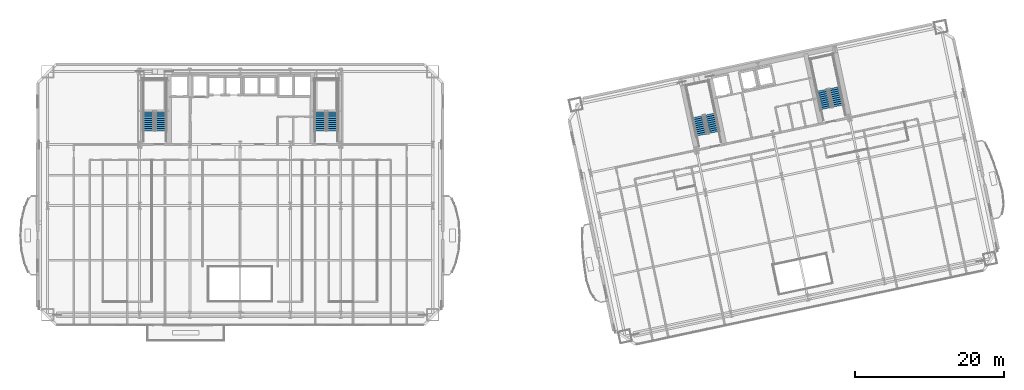
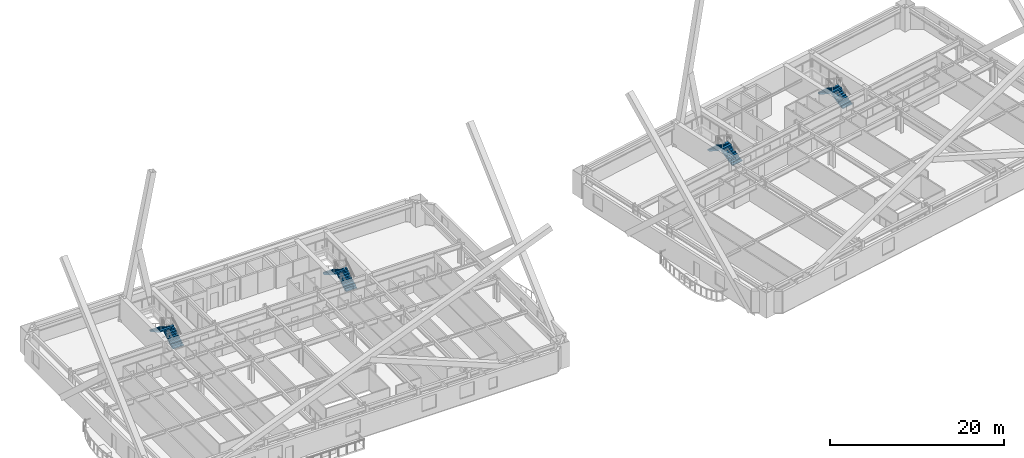
# One storey, part 12 of 20: 8 stair flights, 4 elements without a shape of their own.
"""IFC4 building model written with IfcOpenShell, lengths in metres."""

from ifc_helpers import new_model, si_unit, direction, frame, origin, place, context, subcontext, project, spatial, polyline, outline, extrude, material, type_object, element, aggregate, save


model = new_model("IFC4")

# Units and contexts
model_context = context("Model", 3, precision=1e-05, world=origin(), true_north=direction((0.0, 1.0)))
body_context = subcontext(model_context, "Body", "Model", "MODEL_VIEW")
ifc_project = project(units=[si_unit("LENGTHUNIT", "METRE"), si_unit("AREAUNIT", "SQUARE_METRE"), si_unit("VOLUMEUNIT", "CUBIC_METRE"), si_unit("PLANEANGLEUNIT", "RADIAN"), si_unit("MASSUNIT", "GRAM", prefix="KILO")], contexts=[model_context])

# Site, building, storey
site_placement = place(None, origin())
site = spatial("IfcSite", under=ifc_project, at=site_placement, CompositionType="ELEMENT")
building_placement = place(site_placement, origin())
building = spatial("IfcBuilding", under=site, at=building_placement, Name="Haevon Station Towers", CompositionType="ELEMENT")
storey_placement = place(building_placement, frame((0.0, 0.0, 30.60009765625)))
storey = spatial("IfcBuildingStorey", under=building, at=storey_placement, Name="L06", CompositionType="ELEMENT", Elevation=30.60009765625)

# Stair, stair flights
ifc_material = material(Name="Concrete C40/50", Category="concrete")
stair_type = type_object("IfcStairType", Name="STR-DL1450", PredefinedType="USERDEFINED", material=ifc_material)
stair_1_placement = place(storey_placement, origin())
stair_1 = element("IfcStair", 1, at=stair_1_placement, inside=storey, type_object=stair_type, Name="L06 Escape Stair ST1", ObjectType="TWO_RETURN_STAIR", PredefinedType="USERDEFINED")
stair_flight_type = type_object("IfcStairFlightType", Name="STF-ST1450", PredefinedType="STRAIGHT", material=ifc_material)
stair_flight_1_placement = place(storey_placement, frame((26.85498046875, 40.050048828125, 0.0), z_axis=(0.0, 0.0, 1.0), x_axis=(0.0, 1.0, 0.0)))
stair_flight_1 = element("IfcStairFlight", 2, at=stair_flight_1_placement, type_object=stair_flight_type, Name="L06 ST1 Flight 1", NumberOfRisers=10, NumberOfTreads=9, PredefinedType="STRAIGHT", RiserHeight=0.165, TreadLength=0.28, context=body_context, shape_type="SweptSolid", body=[
    extrude(outline(polyline([(0.0, 0.0), (0.0, 0.1650390625), (0.280029296875, 0.1650390625), (0.280029296875, 0.330078125), (0.56005859375, 0.330078125), (0.56005859375, 0.4951171875), (0.840087890625, 0.4951171875), (0.840087890625, 0.659912109375), (1.1201171875, 0.659912109375), (1.1201171875, 0.824951171875), (1.39990234375, 0.824951171875), (1.39990234375, 0.989990234375), (1.679931640625, 0.989990234375), (1.679931640625, 1.155029296875), (1.9599609375, 1.155029296875), (1.9599609375, 1.320068359375), (2.239990234375, 1.320068359375), (2.239990234375, 1.485107421875), (2.52001953125, 1.485107421875), (2.52001953125, 1.64990234375), (2.52001953125, 1.29931640625), (0.31494140625, 0.0), (0.0, 0.0)])), frame((0.0, 0.72509765625, 0.0), z_axis=(0.0, -1.0, 0.0), x_axis=(1.0, 0.0, 0.0)), (0.0, 0.0, 1.0), 1.449951171875),
])
stair_flight_2_placement = place(storey_placement, frame((25.205078125, 42.570068359375, 1.64990234375), z_axis=(0.0, 0.0, 1.0), x_axis=(0.0, -1.0, 0.0)))
stair_flight_2 = element("IfcStairFlight", 3, at=stair_flight_2_placement, type_object=stair_flight_type, Name="L06 ST1 Flight 2", NumberOfRisers=10, NumberOfTreads=9, PredefinedType="STRAIGHT", RiserHeight=0.165, TreadLength=0.28, context=body_context, shape_type="SweptSolid", body=[
    extrude(outline(polyline([(0.0, 0.0), (0.0, 0.1650390625), (0.280029296875, 0.1650390625), (0.280029296875, 0.330078125), (0.56005859375, 0.330078125), (0.56005859375, 0.4951171875), (0.840087890625, 0.4951171875), (0.840087890625, 0.659912109375), (1.1201171875, 0.659912109375), (1.1201171875, 0.824951171875), (1.39990234375, 0.824951171875), (1.39990234375, 0.989990234375), (1.679931640625, 0.989990234375), (1.679931640625, 1.155029296875), (1.9599609375, 1.155029296875), (1.9599609375, 1.320068359375), (2.239990234375, 1.320068359375), (2.239990234375, 1.485107421875), (2.52001953125, 1.485107421875), (2.52001953125, 1.64990234375), (2.52001953125, 1.29931640625), (0.31494140625, 0.0), (0.0, 0.0)])), frame((0.0, 0.72509765625, 0.0), z_axis=(0.0, -1.0, 0.0), x_axis=(1.0, 0.0, 0.0)), (0.0, 0.0, 1.0), 1.449951171875),
])
aggregate(stair_1, [stair_flight_1, stair_flight_2])

stair_2_placement = place(storey_placement, origin())
stair_2 = element("IfcStair", 4, at=stair_2_placement, inside=storey, type_object=stair_type, Name="L06 Escape Stair ST2", ObjectType="TWO_RETURN_STAIR", PredefinedType="USERDEFINED")
stair_flight_3_placement = place(storey_placement, frame((49.89501953125, 40.050048828125, 0.0), z_axis=(0.0, 0.0, 1.0), x_axis=(0.0, 1.0, 0.0)))
stair_flight_3 = element("IfcStairFlight", 5, at=stair_flight_3_placement, type_object=stair_flight_type, Name="L06 ST2 Flight 1", NumberOfRisers=10, NumberOfTreads=9, PredefinedType="STRAIGHT", RiserHeight=0.165, TreadLength=0.28, context=body_context, shape_type="SweptSolid", body=[
    extrude(outline(polyline([(0.0, 0.0), (0.0, 0.1650390625), (0.280029296875, 0.1650390625), (0.280029296875, 0.330078125), (0.56005859375, 0.330078125), (0.56005859375, 0.4951171875), (0.840087890625, 0.4951171875), (0.840087890625, 0.659912109375), (1.1201171875, 0.659912109375), (1.1201171875, 0.824951171875), (1.39990234375, 0.824951171875), (1.39990234375, 0.989990234375), (1.679931640625, 0.989990234375), (1.679931640625, 1.155029296875), (1.9599609375, 1.155029296875), (1.9599609375, 1.320068359375), (2.239990234375, 1.320068359375), (2.239990234375, 1.485107421875), (2.52001953125, 1.485107421875), (2.52001953125, 1.64990234375), (2.52001953125, 1.29931640625), (0.31494140625, 0.0), (0.0, 0.0)])), frame((0.0, 0.72509765625, 0.0), z_axis=(0.0, -1.0, 0.0), x_axis=(1.0, 0.0, 0.0)), (0.0, 0.0, 1.0), 1.449951171875),
])
stair_flight_4_placement = place(storey_placement, frame((48.2451171875, 42.570068359375, 1.64990234375), z_axis=(0.0, 0.0, 1.0), x_axis=(0.0, -1.0, 0.0)))
stair_flight_4 = element("IfcStairFlight", 6, at=stair_flight_4_placement, type_object=stair_flight_type, Name="L06 ST2 Flight 2", NumberOfRisers=10, NumberOfTreads=9, PredefinedType="STRAIGHT", RiserHeight=0.165, TreadLength=0.28, context=body_context, shape_type="SweptSolid", body=[
    extrude(outline(polyline([(0.0, 0.0), (0.0, 0.1650390625), (0.280029296875, 0.1650390625), (0.280029296875, 0.330078125), (0.56005859375, 0.330078125), (0.56005859375, 0.4951171875), (0.840087890625, 0.4951171875), (0.840087890625, 0.659912109375), (1.1201171875, 0.659912109375), (1.1201171875, 0.824951171875), (1.39990234375, 0.824951171875), (1.39990234375, 0.989990234375), (1.679931640625, 0.989990234375), (1.679931640625, 1.155029296875), (1.9599609375, 1.155029296875), (1.9599609375, 1.320068359375), (2.239990234375, 1.320068359375), (2.239990234375, 1.485107421875), (2.52001953125, 1.485107421875), (2.52001953125, 1.64990234375), (2.52001953125, 1.29931640625), (0.31494140625, 0.0), (0.0, 0.0)])), frame((0.0, 0.72509765625, 0.0), z_axis=(0.0, -1.0, 0.0), x_axis=(1.0, 0.0, 0.0)), (0.0, 0.0, 1.0), 1.449951171875),
])
aggregate(stair_2, [stair_flight_3, stair_flight_4])

stair_3_placement = place(storey_placement, origin())
stair_3 = element("IfcStair", 7, at=stair_3_placement, inside=storey, type_object=stair_type, Name="L06 Escape Stair ST3", ObjectType="TWO_RETURN_STAIR", PredefinedType="USERDEFINED")
stair_flight_5_placement = place(storey_placement, frame((101.1015625, 39.8330078125, 0.0), z_axis=(0.0, 0.0, 1.0), x_axis=(-0.207911690818, 0.978147600734, 0.0)))
stair_flight_5 = element("IfcStairFlight", 8, at=stair_flight_5_placement, type_object=stair_flight_type, Name="L06 ST3 Flight 1", NumberOfRisers=10, NumberOfTreads=9, PredefinedType="STRAIGHT", RiserHeight=0.165, TreadLength=0.28, context=body_context, shape_type="SweptSolid", body=[
    extrude(outline(polyline([(0.0, 0.0), (0.0, 0.1650390625), (0.280029296875, 0.1650390625), (0.280029296875, 0.330078125), (0.56005859375, 0.330078125), (0.56005859375, 0.4951171875), (0.840087890625, 0.4951171875), (0.840087890625, 0.659912109375), (1.1201171875, 0.659912109375), (1.1201171875, 0.824951171875), (1.39990234375, 0.824951171875), (1.39990234375, 0.989990234375), (1.679931640625, 0.989990234375), (1.679931640625, 1.155029296875), (1.9599609375, 1.155029296875), (1.9599609375, 1.320068359375), (2.239990234375, 1.320068359375), (2.239990234375, 1.485107421875), (2.52001953125, 1.485107421875), (2.52001953125, 1.64990234375), (2.52001953125, 1.29931640625), (0.31494140625, 0.0), (0.0, 0.0)])), frame((0.0, 0.72509765625, 0.0), z_axis=(0.0, -1.0, 0.0), x_axis=(1.0, 0.0, 0.0)), (0.0, 0.0, 1.0), 1.449951171875),
])
stair_flight_6_placement = place(storey_placement, frame((98.9638671875, 41.955078125, 1.64990234375), z_axis=(0.0, 0.0, 1.0), x_axis=(0.207911690818, -0.978147600734, 0.0)))
stair_flight_6 = element("IfcStairFlight", 9, at=stair_flight_6_placement, type_object=stair_flight_type, Name="L06 ST3 Flight 2", NumberOfRisers=10, NumberOfTreads=9, PredefinedType="STRAIGHT", RiserHeight=0.165, TreadLength=0.28, context=body_context, shape_type="SweptSolid", body=[
    extrude(outline(polyline([(0.0, 0.0), (0.0, 0.1650390625), (0.280029296875, 0.1650390625), (0.280029296875, 0.330078125), (0.56005859375, 0.330078125), (0.56005859375, 0.4951171875), (0.840087890625, 0.4951171875), (0.840087890625, 0.659912109375), (1.1201171875, 0.659912109375), (1.1201171875, 0.824951171875), (1.39990234375, 0.824951171875), (1.39990234375, 0.989990234375), (1.679931640625, 0.989990234375), (1.679931640625, 1.155029296875), (1.9599609375, 1.155029296875), (1.9599609375, 1.320068359375), (2.239990234375, 1.320068359375), (2.239990234375, 1.485107421875), (2.52001953125, 1.485107421875), (2.52001953125, 1.64990234375), (2.52001953125, 1.29931640625), (0.31494140625, 0.0), (0.0, 0.0)])), frame((0.0, 0.72509765625, 0.0), z_axis=(0.0, -1.0, 0.0), x_axis=(1.0, 0.0, 0.0)), (0.0, 0.0, 1.0), 1.449951171875),
])
aggregate(stair_3, [stair_flight_5, stair_flight_6])

stair_4_placement = place(storey_placement, origin())
stair_4 = element("IfcStair", 10, at=stair_4_placement, inside=storey, type_object=stair_type, Name="L06 Escape Stair ST4", ObjectType="TWO_RETURN_STAIR", PredefinedType="USERDEFINED")
stair_flight_7_placement = place(storey_placement, frame((117.788818359375, 43.380126953125, 0.0), z_axis=(0.0, 0.0, 1.0), x_axis=(-0.207911690818, 0.978147600734, 0.0)))
stair_flight_7 = element("IfcStairFlight", 11, at=stair_flight_7_placement, type_object=stair_flight_type, Name="L06 ST4 Flight 1", NumberOfRisers=10, NumberOfTreads=9, PredefinedType="STRAIGHT", RiserHeight=0.165, TreadLength=0.28, context=body_context, shape_type="SweptSolid", body=[
    extrude(outline(polyline([(0.0, 0.0), (0.0, 0.1650390625), (0.280029296875, 0.1650390625), (0.280029296875, 0.330078125), (0.56005859375, 0.330078125), (0.56005859375, 0.4951171875), (0.840087890625, 0.4951171875), (0.840087890625, 0.659912109375), (1.1201171875, 0.659912109375), (1.1201171875, 0.824951171875), (1.39990234375, 0.824951171875), (1.39990234375, 0.989990234375), (1.679931640625, 0.989990234375), (1.679931640625, 1.155029296875), (1.9599609375, 1.155029296875), (1.9599609375, 1.320068359375), (2.239990234375, 1.320068359375), (2.239990234375, 1.485107421875), (2.52001953125, 1.485107421875), (2.52001953125, 1.64990234375), (2.52001953125, 1.29931640625), (0.31494140625, 0.0), (0.0, 0.0)])), frame((0.0, 0.72509765625, 0.0), z_axis=(0.0, -1.0, 0.0), x_axis=(1.0, 0.0, 0.0)), (0.0, 0.0, 1.0), 1.449951171875),
])
stair_flight_8_placement = place(storey_placement, frame((115.65087890625, 45.501953125, 1.64990234375), z_axis=(0.0, 0.0, 1.0), x_axis=(0.207911690818, -0.978147600734, 0.0)))
stair_flight_8 = element("IfcStairFlight", 12, at=stair_flight_8_placement, type_object=stair_flight_type, Name="L06 ST4 Flight 2", NumberOfRisers=10, NumberOfTreads=9, PredefinedType="STRAIGHT", RiserHeight=0.165, TreadLength=0.28, context=body_context, shape_type="SweptSolid", body=[
    extrude(outline(polyline([(0.0, 0.0), (0.0, 0.1650390625), (0.280029296875, 0.1650390625), (0.280029296875, 0.330078125), (0.56005859375, 0.330078125), (0.56005859375, 0.4951171875), (0.840087890625, 0.4951171875), (0.840087890625, 0.659912109375), (1.1201171875, 0.659912109375), (1.1201171875, 0.824951171875), (1.39990234375, 0.824951171875), (1.39990234375, 0.989990234375), (1.679931640625, 0.989990234375), (1.679931640625, 1.155029296875), (1.9599609375, 1.155029296875), (1.9599609375, 1.320068359375), (2.239990234375, 1.320068359375), (2.239990234375, 1.485107421875), (2.52001953125, 1.485107421875), (2.52001953125, 1.64990234375), (2.52001953125, 1.29931640625), (0.31494140625, 0.0), (0.0, 0.0)])), frame((0.0, 0.72509765625, 0.0), z_axis=(0.0, -1.0, 0.0), x_axis=(1.0, 0.0, 0.0)), (0.0, 0.0, 1.0), 1.449951171875),
])
aggregate(stair_4, [stair_flight_7, stair_flight_8])

save(model, "model.ifc")
